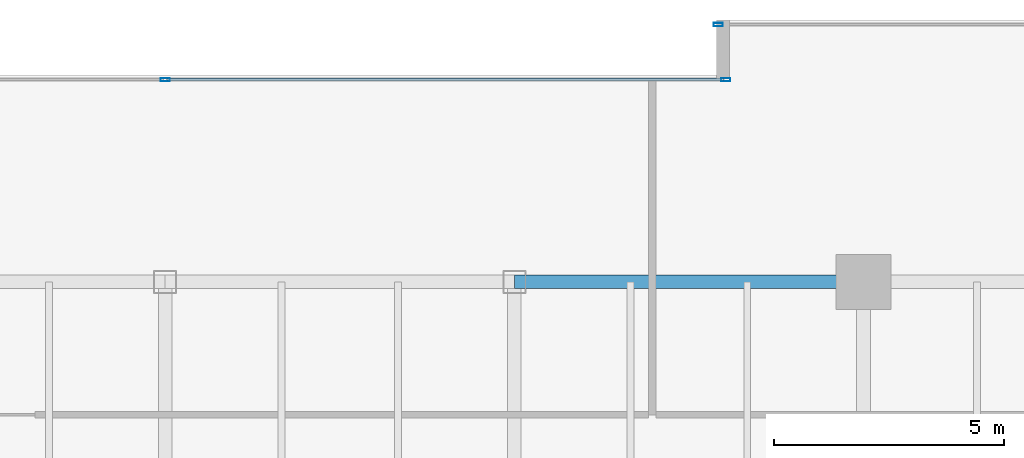
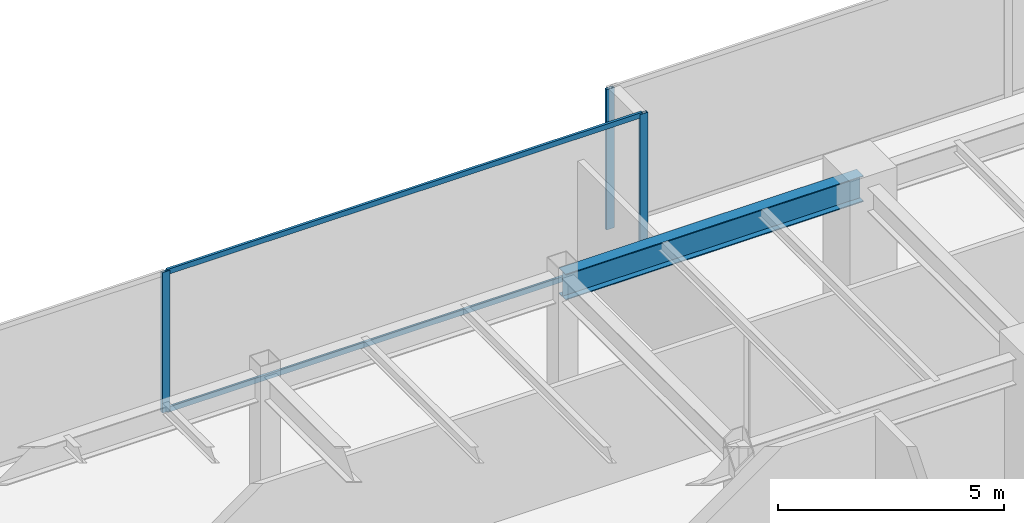
# One storey, part 18 of 30: 5 members, 1 beam, 2 elements without a shape of their own.
"""IFC4 building model written with IfcOpenShell, lengths in metres."""

from ifc_helpers import new_model, si_unit, direction, frame, origin, origin_2d, place, context, subcontext, project, spatial, hollow_rectangle, i_section, extrude, source, transform, mapped, material, layer, layer_set, material_profile, profile_set, type_object, type_shapes, element, aggregate, save


model = new_model("IFC4")

# Units and contexts
model_context = context("Model", 3, precision=1e-05, world=origin(), true_north=direction((0.0, 1.0)))
body_context = subcontext(model_context, "Body", "Model", "MODEL_VIEW")
ifc_project = project(units=[si_unit("LENGTHUNIT", "METRE"), si_unit("AREAUNIT", "SQUARE_METRE"), si_unit("VOLUMEUNIT", "CUBIC_METRE"), si_unit("PLANEANGLEUNIT", "RADIAN"), si_unit("MASSUNIT", "GRAM", prefix="KILO")], contexts=[model_context])

# Site, building, storey
site_placement = place(None, origin())
site = spatial("IfcSite", under=ifc_project, at=site_placement, CompositionType="ELEMENT")
building_placement = place(site_placement, origin())
building = spatial("IfcBuilding", under=site, at=building_placement, Name="Haelvirn Gate Laboratories", CompositionType="ELEMENT")
storey_placement = place(building_placement, frame((0.0, 0.0, 125.60009765625)))
storey = spatial("IfcBuildingStorey", under=building, at=storey_placement, Name="L30", CompositionType="ELEMENT", Elevation=125.60009765625)

# Beam
ifc_material_1 = material(Name="Steel SM355", Category="steel")
ifc_material_profile_1 = material_profile(ifc_material_1, i_section(OverallWidth=0.300048828125, OverallDepth=0.699951171875, WebThickness=0.012939453125, FlangeThickness=0.02392578125, at=origin_2d()), Name="H-700x300x13x24")
ifc_profile_set_1 = profile_set([ifc_material_profile_1], Name="Steel SM355")
beam_type = type_object("IfcBeamType", Name="BM-G-700", PredefinedType="BEAM", material=ifc_profile_set_1)
shared_shape_1 = source(origin(), body_context, "Body", "SweptSolid", [
    extrude(i_section(OverallWidth=0.300048828125, OverallDepth=0.699951171875, WebThickness=0.012939453125, FlangeThickness=0.02392578125, at=origin_2d()), origin(), (0.0, 0.0, 1.0), 7.60009765625),
])
type_shapes(beam_type, [shared_shape_1])
beam_placement = place(storey_placement, frame((45.0, 41.60009765625, 3.43994140625), z_axis=(1.0, 0.0, 0.0), x_axis=(0.0, 1.0, 0.0)))
element("IfcBeam", 1, at=beam_placement, inside=storey, type_object=beam_type, Name="L30 Primary Girder Y41.6 (45.0-52.6)", PredefinedType="BEAM", context=body_context, shape_type="MappedRepresentation", body=[
    mapped(shared_shape_1, transform((0.0, 0.0, 0.0), scale=1.0)),
])

# Curtain wall, members
ifc_material_2 = material(Name="Anodised bronze unitised aluminium & triple low-E glass", Category="aluminium")
ifc_layer = layer(ifc_material_2, 0.179931640625, Name="CW-SYS-3")
ifc_layer_set = layer_set([ifc_layer], Name="Anodised bronze unitised aluminium & triple low-E glass")
curtain_wall_type = type_object("IfcCurtainWallType", Name="CW-SYS-3", PredefinedType="NOTDEFINED", material=ifc_layer_set)
curtain_wall_1_placement = place(storey_placement, origin())
curtain_wall_1 = element("IfcCurtainWall", 2, at=curtain_wall_1_placement, inside=storey, type_object=curtain_wall_type, Name="L30 Unitised Curtain Wall CW-L30-P0-E12-1", PredefinedType="NOTDEFINED")
ifc_material_3 = material(Name="Extruded aluminium 6063-T6 (anodised bronze)", Category="aluminium")
ifc_material_profile_2 = material_profile(ifc_material_3, hollow_rectangle(XDim=0.06494140625, YDim=0.139892578125, WallThickness=0.00390625, at=origin_2d()), Name="CWT-140x65x4")
ifc_profile_set_2 = profile_set([ifc_material_profile_2], Name="Extruded aluminium 6063-T6 (anodised bronze)")
member_type_1 = type_object("IfcMemberType", Name="CWT-T140", PredefinedType="USERDEFINED", material=ifc_profile_set_2)
shared_shape_2 = source(origin(), body_context, "Body", "SweptSolid", [
    extrude(hollow_rectangle(XDim=0.06494140625, YDim=0.139892578125, WallThickness=0.00390625, at=origin_2d()), origin(), (0.0, 0.0, 1.0), 12.12744140625),
])
type_shapes(member_type_1, [shared_shape_2])
member_1_placement = place(storey_placement, frame((37.4375, 46.0, 0.032470703125), z_axis=(1.0, 0.0, 0.0), x_axis=(0.0, 1.0, 0.0)))
member_1 = element("IfcMember", 3, at=member_1_placement, type_object=member_type_1, Name="CW3 transom 2.1", ObjectType="TRANSOM", PredefinedType="USERDEFINED", context=body_context, shape_type="MappedRepresentation", body=[
    mapped(shared_shape_2, transform((0.0, 0.0, 0.0), scale=1.0)),
])
member_2_placement = place(storey_placement, frame((37.4375, 46.0, 3.75732421875), z_axis=(1.0, 0.0, 0.0), x_axis=(0.0, 1.0, 0.0)))
member_2 = element("IfcMember", 4, at=member_2_placement, type_object=member_type_1, Name="CW3 transom 2.2", ObjectType="TRANSOM", PredefinedType="USERDEFINED", context=body_context, shape_type="MappedRepresentation", body=[
    mapped(shared_shape_2, transform((0.0, 0.0, 0.0), scale=1.0)),
])

# Curtain wall, member
curtain_wall_2_placement = place(storey_placement, origin())
curtain_wall_2 = element("IfcCurtainWall", 5, at=curtain_wall_2_placement, inside=storey, type_object=curtain_wall_type, Name="L30 Unitised Curtain Wall CW-L30-P0-E10-1", PredefinedType="NOTDEFINED")
ifc_material_profile_3 = material_profile(ifc_material_3, hollow_rectangle(XDim=0.074951171875, YDim=0.199951171875, WallThickness=0.0048828125, at=origin_2d()), Name="CWM-200x75x5")
ifc_profile_set_3 = profile_set([ifc_material_profile_3], Name="Extruded aluminium 6063-T6 (anodised bronze)")
member_type_2 = type_object("IfcMemberType", Name="CWM-T200", PredefinedType="MULLION", material=ifc_profile_set_3)
shared_shape_3 = source(origin(), body_context, "Body", "SweptSolid", [
    extrude(hollow_rectangle(XDim=0.074951171875, YDim=0.199951171875, WallThickness=0.0048828125, at=origin_2d()), origin(), (0.0, 0.0, 1.0), 3.789794921875),
])
type_shapes(member_type_2, [shared_shape_3])
member_3_placement = place(storey_placement, frame((49.4375, 47.199951171875, 0.0), z_axis=(0.0, 0.0, 1.0), x_axis=(0.0, 1.0, 0.0)))
member_3 = element("IfcMember", 6, at=member_3_placement, type_object=member_type_2, Name="CW3 mullion 1", PredefinedType="MULLION", context=body_context, shape_type="MappedRepresentation", body=[
    mapped(shared_shape_3, transform((0.0, 0.0, 0.0), scale=1.0)),
])
aggregate(curtain_wall_2, [member_3])

# Member
member_4_placement = place(storey_placement, frame((37.39990234375, 46.0, 0.0), z_axis=(0.0, 0.0, 1.0), x_axis=(0.0, 1.0, 0.0)))
member_4 = element("IfcMember", 7, at=member_4_placement, type_object=member_type_2, Name="CW3 mullion 2", PredefinedType="MULLION", context=body_context, shape_type="MappedRepresentation", body=[
    mapped(shared_shape_3, transform((0.0, 0.0, 0.0), scale=1.0)),
])

member_5_placement = place(storey_placement, frame((49.6025390625, 46.0, 0.0), z_axis=(0.0, 0.0, 1.0), x_axis=(0.0, 1.0, 0.0)))
member_5 = element("IfcMember", 8, at=member_5_placement, type_object=member_type_2, Name="CW3 mullion 3", PredefinedType="MULLION", context=body_context, shape_type="MappedRepresentation", body=[
    mapped(shared_shape_3, transform((0.0, 0.0, 0.0), scale=1.0)),
])

aggregate(curtain_wall_1, [member_4, member_5, member_1, member_2])

save(model, "model.ifc")
